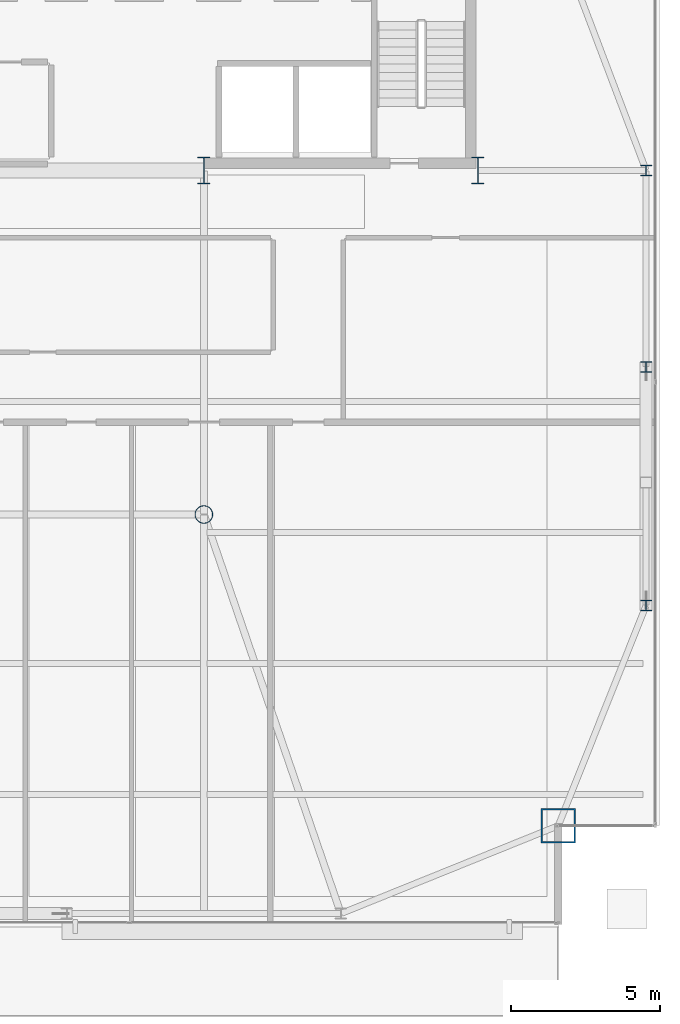
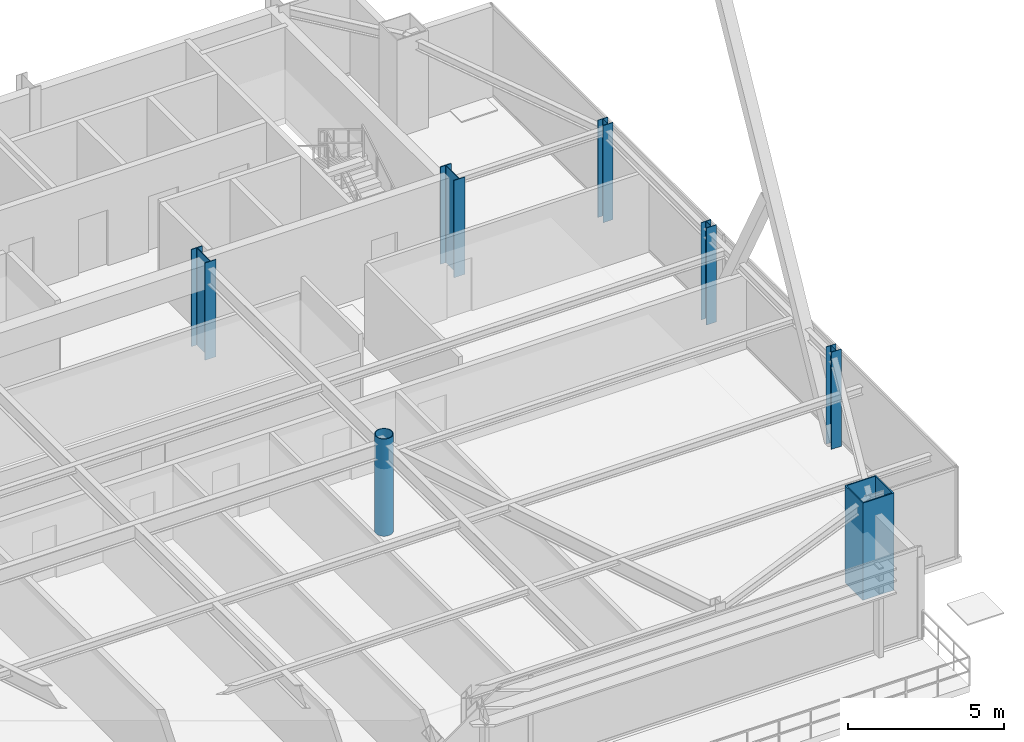
# One storey, part 2 of 33: 7 columns.
"""IFC4 building model written with IfcOpenShell, lengths in metres."""

from ifc_helpers import new_model, si_unit, direction, frame, origin, origin_2d, place, context, subcontext, project, spatial, hollow_rectangle, hollow_circle, i_section, extrude, source, transform, mapped, material, material_profile, profile_set, type_object, type_shapes, element, save


model = new_model("IFC4")

# Units and contexts
model_context = context("Model", 3, precision=1e-05, world=origin(), true_north=direction((0.0, 1.0)))
body_context = subcontext(model_context, "Body", "Model", "MODEL_VIEW")
ifc_project = project(units=[si_unit("LENGTHUNIT", "METRE"), si_unit("AREAUNIT", "SQUARE_METRE"), si_unit("VOLUMEUNIT", "CUBIC_METRE"), si_unit("PLANEANGLEUNIT", "RADIAN"), si_unit("MASSUNIT", "GRAM", prefix="KILO")], contexts=[model_context])

# Site, building, storey
site_placement = place(None, origin())
site = spatial("IfcSite", under=ifc_project, at=site_placement, CompositionType="ELEMENT")
building_placement = place(site_placement, origin())
building = spatial("IfcBuilding", under=site, at=building_placement, Name="Varnel Quay Broadcast Tower", CompositionType="ELEMENT")
storey_placement = place(building_placement, frame((0.0, 0.0, 199.800048828125)))
storey = spatial("IfcBuildingStorey", under=building, at=storey_placement, Name="L49", CompositionType="ELEMENT", Elevation=199.800048828125)

# Columns
ifc_material_1 = material(Name="Structural Steel CSA G40.21 350WT", Category="steel")
ifc_material_profile_1 = material_profile(ifc_material_1, i_section(OverallWidth=0.39990234375, OverallDepth=0.89990234375, WebThickness=0.01611328125, FlangeThickness=0.028076171875, FilletRadius=0.01611328125, at=origin_2d()), Name="WWF900X309")
ifc_profile_set_1 = profile_set([ifc_material_profile_1], Name="Structural Steel CSA G40.21 350WT")
column_type_1 = type_object("IfcColumnType", Name="Col_WWF900X309", PredefinedType="COLUMN", material=ifc_profile_set_1)
shared_shape_1 = source(origin(), body_context, "Body", "SweptSolid", [
    extrude(i_section(OverallWidth=0.39990234375, OverallDepth=0.89990234375, WebThickness=0.01611328125, FlangeThickness=0.028076171875, FilletRadius=0.01611328125, at=origin_2d()), origin(), (0.0, 0.0, 1.0), 3.800048828125),
])
type_shapes(column_type_1, [shared_shape_1])
for number, where, z_axis, x_axis, name in (
    (1, (43.199951171875, 35.60009765625, 0.0), (0.0, 0.0, 1.0), (1.0, 0.0, 0.0), "L49 Column CC-S4"),
    (2, (52.39990234375, 35.60009765625, 0.0), (0.0, 0.0, 1.0), (1.0, 0.0, 0.0), "L49 Column CC-S5"),
):
    element("IfcColumn", number, at=place(storey_placement, frame(where, z_axis=z_axis, x_axis=x_axis)), inside=storey, type_object=column_type_1, Name=name, PredefinedType="COLUMN", context=body_context, shape_type="MappedRepresentation", body=[
        mapped(shared_shape_1, transform((0.0, 0.0, 0.0), x_axis=(1.0, 0.0, 0.0), y_axis=(0.0, 1.0, 0.0), z_axis=(0.0, 0.0, 1.0), scale=1.0)),
    ])
ifc_material_profile_2 = material_profile(ifc_material_1, hollow_rectangle(XDim=1.14990234375, YDim=1.14990234375, WallThickness=0.044921875, at=origin_2d()), Name="BOX1150X1150X45")
ifc_profile_set_2 = profile_set([ifc_material_profile_2], Name="Structural Steel CSA G40.21 350WT")
column_type_2 = type_object("IfcColumnType", Name="Col_BOX1150X1150X45", PredefinedType="COLUMN", material=ifc_profile_set_2)
shared_shape_2 = source(origin(), body_context, "Body", "SweptSolid", [
    extrude(hollow_rectangle(XDim=1.14990234375, YDim=1.14990234375, WallThickness=0.044921875, at=origin_2d()), origin(), (0.0, 0.0, 1.0), 3.800048828125),
])
type_shapes(column_type_2, [shared_shape_2])
column_1_placement = place(storey_placement, frame((55.10009765625, 13.60009765625, 0.0), z_axis=(0.0, 0.0, 1.0), x_axis=(1.0, 0.0, 0.0)))
element("IfcColumn", 3, at=column_1_placement, inside=storey, type_object=column_type_2, Name="L49 Column MC-SE", PredefinedType="COLUMN", context=body_context, shape_type="MappedRepresentation", body=[
    mapped(shared_shape_2, transform((0.0, 0.0, 0.0), x_axis=(1.0, 0.0, 0.0), y_axis=(0.0, 1.0, 0.0), z_axis=(0.0, 0.0, 1.0), scale=1.0)),
])
ifc_material_2 = material(Name="Structural Steel CSA G40.21 350W", Category="steel")
ifc_material_profile_3 = material_profile(ifc_material_2, i_section(OverallWidth=0.368896484375, OverallDepth=0.35595703125, WebThickness=0.01123046875, FlangeThickness=0.01806640625, FilletRadius=0.01611328125, at=origin_2d()), Name="W360X134")
ifc_profile_set_3 = profile_set([ifc_material_profile_3], Name="Structural Steel CSA G40.21 350W")
column_type_3 = type_object("IfcColumnType", Name="Col_W360X134", PredefinedType="COLUMN", material=ifc_profile_set_3)
shared_shape_3 = source(origin(), body_context, "Body", "SweptSolid", [
    extrude(i_section(OverallWidth=0.368896484375, OverallDepth=0.35595703125, WebThickness=0.01123046875, FlangeThickness=0.01806640625, FilletRadius=0.01611328125, at=origin_2d()), origin(), (0.0, 0.0, 1.0), 3.800048828125),
])
type_shapes(column_type_3, [shared_shape_3])
for number, where, z_axis, x_axis, name in (
    (4, (58.050048828125, 21.0, 0.0), (0.0, 0.0, 1.0), (1.0, 0.0, 0.0), "L49 Column TC-E1"),
    (5, (58.050048828125, 29.0, 0.0), (0.0, 0.0, 1.0), (1.0, 0.0, 0.0), "L49 Column TC-E2"),
    (6, (58.050048828125, 35.60009765625, 0.0), (0.0, 0.0, 1.0), (1.0, 0.0, 0.0), "L49 Column TC-E3"),
):
    element("IfcColumn", number, at=place(storey_placement, frame(where, z_axis=z_axis, x_axis=x_axis)), inside=storey, type_object=column_type_3, Name=name, PredefinedType="COLUMN", context=body_context, shape_type="MappedRepresentation", body=[
        mapped(shared_shape_3, transform((0.0, 0.0, 0.0), x_axis=(1.0, 0.0, 0.0), y_axis=(0.0, 1.0, 0.0), z_axis=(0.0, 0.0, 1.0), scale=1.0)),
    ])
ifc_material_profile_4 = material_profile(ifc_material_2, hollow_circle(Radius=0.304931640625, WallThickness=0.02490234375, at=origin_2d()), Name="CHS610X25")
ifc_profile_set_4 = profile_set([ifc_material_profile_4], Name="Structural Steel CSA G40.21 350W")
column_type_4 = type_object("IfcColumnType", Name="Col_CHS610X25", PredefinedType="COLUMN", material=ifc_profile_set_4)
shared_shape_4 = source(origin(), body_context, "Body", "SweptSolid", [
    extrude(hollow_circle(Radius=0.304931640625, WallThickness=0.02490234375, at=origin_2d()), origin(), (0.0, 0.0, 1.0), 3.800048828125),
])
type_shapes(column_type_4, [shared_shape_4])
column_2_placement = place(storey_placement, frame((43.199951171875, 24.050048828125, 0.0), z_axis=(0.0, 0.0, 1.0), x_axis=(1.0, 0.0, 0.0)))
element("IfcColumn", 7, at=column_2_placement, inside=storey, type_object=column_type_4, Name="L49 Column IC-02", PredefinedType="COLUMN", context=body_context, shape_type="MappedRepresentation", body=[
    mapped(shared_shape_4, transform((0.0, 0.0, 0.0), x_axis=(1.0, 0.0, 0.0), y_axis=(0.0, 1.0, 0.0), z_axis=(0.0, 0.0, 1.0), scale=1.0)),
])

save(model, "model.ifc")
